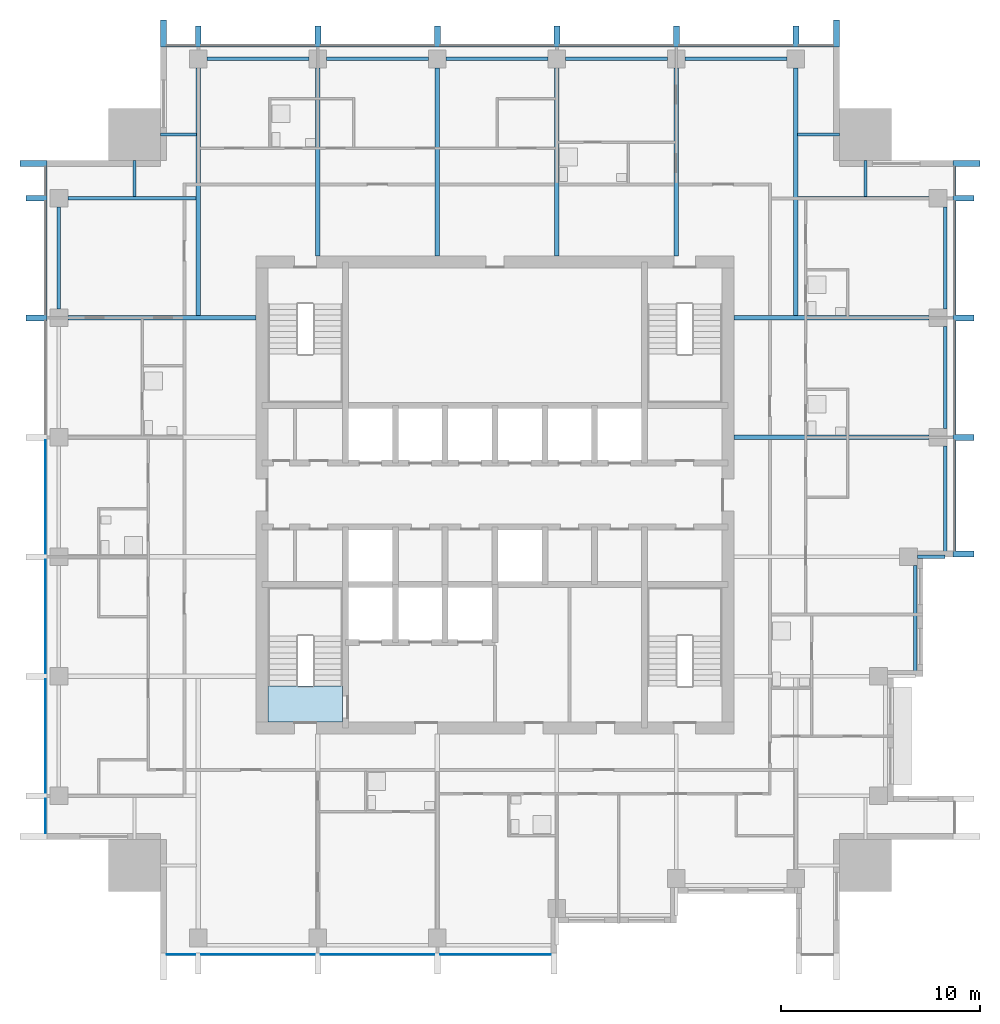
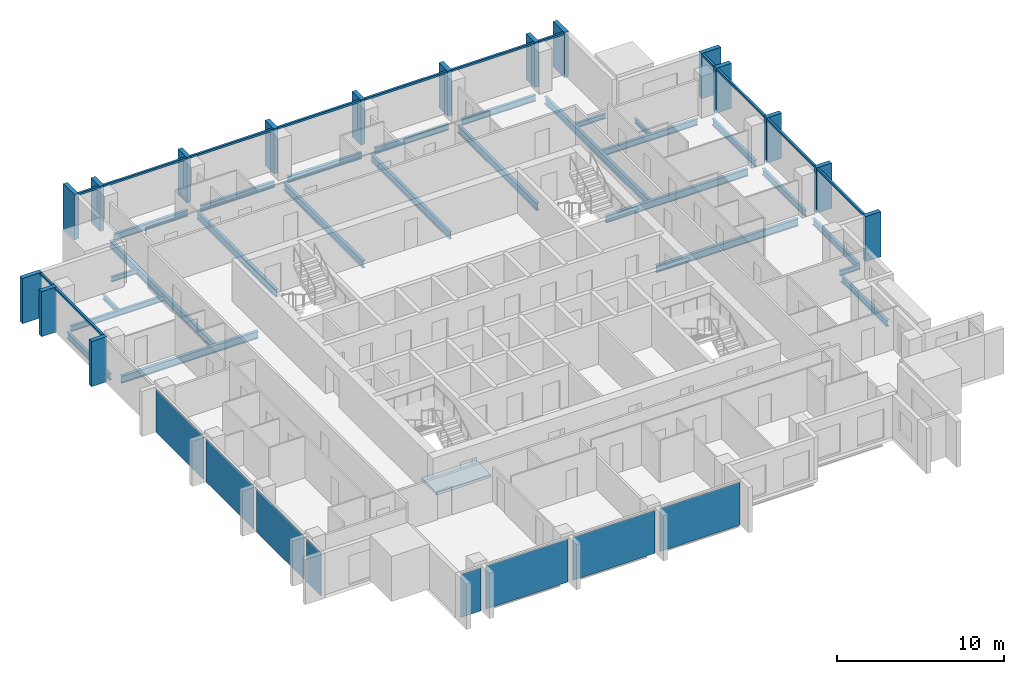
# One storey, part 2 of 10: 29 members, 26 beams, 8 plates, 1 slab, 5 elements without a shape of their own.
"""IFC4 building model written with IfcOpenShell, lengths in metres."""

from ifc_helpers import new_model, si_unit, direction, frame, origin, origin_2d, place, context, subcontext, project, spatial, polyline, rectangle, i_section, outline, extrude, material, layer, layer_set, material_profile, profile_set, type_object, element, aggregate, save


model = new_model("IFC4")

# Units and contexts
model_context = context("Model", 3, precision=1e-05, world=origin(), true_north=direction((0.0, 1.0)))
body_context = subcontext(model_context, "Body", "Model", "MODEL_VIEW")
ifc_project = project(units=[si_unit("LENGTHUNIT", "METRE"), si_unit("AREAUNIT", "SQUARE_METRE"), si_unit("VOLUMEUNIT", "CUBIC_METRE"), si_unit("PLANEANGLEUNIT", "RADIAN"), si_unit("MASSUNIT", "GRAM", prefix="KILO")], contexts=[model_context])

# Site, building, storey
site_placement = place(None, origin())
site = spatial("IfcSite", under=ifc_project, at=site_placement, CompositionType="ELEMENT")
building_placement = place(site_placement, origin())
building = spatial("IfcBuilding", under=site, at=building_placement, Name="Amberfall Residences", CompositionType="ELEMENT")
storey_placement = place(building_placement, frame((0.0, 0.0, 190.300048828125)))
storey = spatial("IfcBuildingStorey", under=building, at=storey_placement, Name="L50", CompositionType="ELEMENT", Elevation=190.300048828125)

# Curtain wall, members
ifc_material_1 = material(Name="Bronze anodised aluminium and glass", Category="aluminium")
curtain_wall_type = type_object("IfcCurtainWallType", Name="Curtain wall CW1 tower unit", PredefinedType="USERDEFINED", material=ifc_material_1)
curtain_wall_1_placement = place(storey_placement, origin())
curtain_wall_1 = element("IfcCurtainWall", 1, at=curtain_wall_1_placement, inside=storey, type_object=curtain_wall_type, Name="Curtain wall L50 E E7", ObjectType="UNITISED CURTAIN WALL", PredefinedType="USERDEFINED")
ifc_material_2 = material(Name="Bronze anodised aluminium", Category="aluminium")
ifc_material_profile_1 = material_profile(ifc_material_2, rectangle(XDim=0.14990234375, YDim=0.14990234375, at=origin_2d()), Name="CW1 transom 150 x 150 bronze")
ifc_profile_set_1 = profile_set([ifc_material_profile_1], Name="Bronze anodised aluminium")
member_type_1 = type_object("IfcMemberType", Name="CW1 transom 150 x 150 bronze", PredefinedType="USERDEFINED", material=ifc_profile_set_1)
member_1_placement = place(storey_placement, frame((97.574951171875, 42.699951171875, 2.974853515625), z_axis=(0.0, 1.0, 0.0), x_axis=(-1.0, 0.0, 0.0)))
member_1 = element("IfcMember", 2, at=member_1_placement, type_object=member_type_1, Name="CW1 transom 1.1", ObjectType="TRANSOM", PredefinedType="USERDEFINED", context=body_context, shape_type="SweptSolid", body=[
    extrude(rectangle(XDim=0.14990234375, YDim=0.14990234375, at=origin_2d()), origin(), (0.0, 0.0, 1.0), 5.550048828125),
])
member_2_placement = place(storey_placement, frame((97.574951171875, 48.550048828125, 2.974853515625), z_axis=(0.0, 1.0, 0.0), x_axis=(-1.0, 0.0, 0.0)))
member_2 = element("IfcMember", 3, at=member_2_placement, type_object=member_type_1, Name="CW1 transom 2.1", ObjectType="TRANSOM", PredefinedType="USERDEFINED", context=body_context, shape_type="SweptSolid", body=[
    extrude(rectangle(XDim=0.14990234375, YDim=0.14990234375, at=origin_2d()), origin(), (0.0, 0.0, 1.0), 5.699951171875),
])
member_3_placement = place(storey_placement, frame((97.574951171875, 54.550048828125, 2.974853515625), z_axis=(0.0, 1.0, 0.0), x_axis=(-1.0, 0.0, 0.0)))
member_3 = element("IfcMember", 4, at=member_3_placement, type_object=member_type_1, Name="CW1 transom 3.1", ObjectType="TRANSOM", PredefinedType="USERDEFINED", context=body_context, shape_type="SweptSolid", body=[
    extrude(rectangle(XDim=0.14990234375, YDim=0.14990234375, at=origin_2d()), origin(), (0.0, 0.0, 1.0), 5.699951171875),
])
member_4_placement = place(storey_placement, frame((97.574951171875, 60.550048828125, 2.974853515625), z_axis=(0.0, 1.0, 0.0), x_axis=(-1.0, 0.0, 0.0)))
member_4 = element("IfcMember", 5, at=member_4_placement, type_object=member_type_1, Name="CW1 transom 4.1", ObjectType="TRANSOM", PredefinedType="USERDEFINED", context=body_context, shape_type="SweptSolid", body=[
    extrude(rectangle(XDim=0.14990234375, YDim=0.14990234375, at=origin_2d()), origin(), (0.0, 0.0, 1.0), 1.449951171875),
])

curtain_wall_2_placement = place(storey_placement, origin())
curtain_wall_2 = element("IfcCurtainWall", 6, at=curtain_wall_2_placement, inside=storey, type_object=curtain_wall_type, Name="Curtain wall L50 N N1", ObjectType="UNITISED CURTAIN WALL", PredefinedType="USERDEFINED")
member_5_placement = place(storey_placement, frame((91.5, 68.074951171875, 2.974853515625), z_axis=(-1.0, 0.0, 0.0), x_axis=(0.0, -1.0, 0.0)))
member_5 = element("IfcMember", 7, at=member_5_placement, type_object=member_type_1, Name="CW1 transom 1.1", ObjectType="TRANSOM", PredefinedType="USERDEFINED", context=body_context, shape_type="SweptSolid", body=[
    extrude(rectangle(XDim=0.14990234375, YDim=0.14990234375, at=origin_2d()), origin(), (0.0, 0.0, 1.0), 1.75),
])
member_6_placement = place(storey_placement, frame((89.449951171875, 68.074951171875, 2.974853515625), z_axis=(-1.0, 0.0, 0.0), x_axis=(0.0, -1.0, 0.0)))
member_6 = element("IfcMember", 8, at=member_6_placement, type_object=member_type_1, Name="CW1 transom 2.1", ObjectType="TRANSOM", PredefinedType="USERDEFINED", context=body_context, shape_type="SweptSolid", body=[
    extrude(rectangle(XDim=0.14990234375, YDim=0.14990234375, at=origin_2d()), origin(), (0.0, 0.0, 1.0), 5.699951171875),
])
member_7_placement = place(storey_placement, frame((83.449951171875, 68.074951171875, 2.974853515625), z_axis=(-1.0, 0.0, 0.0), x_axis=(0.0, -1.0, 0.0)))
member_7 = element("IfcMember", 9, at=member_7_placement, type_object=member_type_1, Name="CW1 transom 3.1", ObjectType="TRANSOM", PredefinedType="USERDEFINED", context=body_context, shape_type="SweptSolid", body=[
    extrude(rectangle(XDim=0.14990234375, YDim=0.14990234375, at=origin_2d()), origin(), (0.0, 0.0, 1.0), 5.699951171875),
])
member_8_placement = place(storey_placement, frame((77.449951171875, 68.074951171875, 2.974853515625), z_axis=(-1.0, 0.0, 0.0), x_axis=(0.0, -1.0, 0.0)))
member_8 = element("IfcMember", 10, at=member_8_placement, type_object=member_type_1, Name="CW1 transom 4.1", ObjectType="TRANSOM", PredefinedType="USERDEFINED", context=body_context, shape_type="SweptSolid", body=[
    extrude(rectangle(XDim=0.14990234375, YDim=0.14990234375, at=origin_2d()), origin(), (0.0, 0.0, 1.0), 5.699951171875),
])
member_9_placement = place(storey_placement, frame((71.449951171875, 68.074951171875, 2.974853515625), z_axis=(-1.0, 0.0, 0.0), x_axis=(0.0, -1.0, 0.0)))
member_9 = element("IfcMember", 11, at=member_9_placement, type_object=member_type_1, Name="CW1 transom 5.1", ObjectType="TRANSOM", PredefinedType="USERDEFINED", context=body_context, shape_type="SweptSolid", body=[
    extrude(rectangle(XDim=0.14990234375, YDim=0.14990234375, at=origin_2d()), origin(), (0.0, 0.0, 1.0), 5.699951171875),
])
member_10_placement = place(storey_placement, frame((65.449951171875, 68.074951171875, 2.974853515625), z_axis=(-1.0, 0.0, 0.0), x_axis=(0.0, -1.0, 0.0)))
member_10 = element("IfcMember", 12, at=member_10_placement, type_object=member_type_1, Name="CW1 transom 6.1", ObjectType="TRANSOM", PredefinedType="USERDEFINED", context=body_context, shape_type="SweptSolid", body=[
    extrude(rectangle(XDim=0.14990234375, YDim=0.14990234375, at=origin_2d()), origin(), (0.0, 0.0, 1.0), 5.699951171875),
])
member_11_placement = place(storey_placement, frame((59.449951171875, 68.074951171875, 2.974853515625), z_axis=(-1.0, 0.0, 0.0), x_axis=(0.0, -1.0, 0.0)))
member_11 = element("IfcMember", 13, at=member_11_placement, type_object=member_type_1, Name="CW1 transom 7.1", ObjectType="TRANSOM", PredefinedType="USERDEFINED", context=body_context, shape_type="SweptSolid", body=[
    extrude(rectangle(XDim=0.14990234375, YDim=0.14990234375, at=origin_2d()), origin(), (0.0, 0.0, 1.0), 1.449951171875),
])

curtain_wall_3_placement = place(storey_placement, origin())
curtain_wall_3 = element("IfcCurtainWall", 14, at=curtain_wall_3_placement, inside=storey, type_object=curtain_wall_type, Name="Curtain wall L50 W W1", ObjectType="UNITISED CURTAIN WALL", PredefinedType="USERDEFINED")
member_12_placement = place(storey_placement, frame((51.925048828125, 62.0, 2.974853515625), z_axis=(0.0, -1.0, 0.0), x_axis=(1.0, 0.0, 0.0)))
member_12 = element("IfcMember", 15, at=member_12_placement, type_object=member_type_1, Name="CW1 transom 1.1", ObjectType="TRANSOM", PredefinedType="USERDEFINED", context=body_context, shape_type="SweptSolid", body=[
    extrude(rectangle(XDim=0.14990234375, YDim=0.14990234375, at=origin_2d()), origin(), (0.0, 0.0, 1.0), 1.449951171875),
])
member_13_placement = place(storey_placement, frame((51.925048828125, 60.25, 2.974853515625), z_axis=(0.0, -1.0, 0.0), x_axis=(1.0, 0.0, 0.0)))
member_13 = element("IfcMember", 16, at=member_13_placement, type_object=member_type_1, Name="CW1 transom 2.1", ObjectType="TRANSOM", PredefinedType="USERDEFINED", context=body_context, shape_type="SweptSolid", body=[
    extrude(rectangle(XDim=0.14990234375, YDim=0.14990234375, at=origin_2d()), origin(), (0.0, 0.0, 1.0), 5.699951171875),
])

# Beam
ifc_material_3 = material(Name="Steel S355", Category="steel")
ifc_material_profile_2 = material_profile(ifc_material_3, i_section(OverallWidth=0.171142578125, OverallDepth=0.351318359375, WebThickness=0.007080078125, FlangeThickness=0.009765625, FilletRadius=0.01025390625, at=origin_2d()), Name="UB 356x171x45")
ifc_profile_set_2 = profile_set([ifc_material_profile_2], Name="Steel S355")
beam_type_1 = type_object("IfcBeamType", Name="Cantilever girder UB 356x171x45", PredefinedType="BEAM", material=ifc_profile_set_2)
beam_1_placement = place(storey_placement, frame((95.699951171875, 42.39990234375, -0.42578125), z_axis=(1.0, 0.0, 0.0), x_axis=(0.0, 1.0, 0.0)))
element("IfcBeam", 17, at=beam_1_placement, inside=storey, type_object=beam_type_1, Name="Cantilever girder B8 L50 20", PredefinedType="BEAM", context=body_context, shape_type="SweptSolid", body=[
    extrude(i_section(OverallWidth=0.171142578125, OverallDepth=0.351318359375, WebThickness=0.007080078125, FlangeThickness=0.009765625, FilletRadius=0.01025390625, at=origin_2d()), origin(), (0.0, 0.0, 1.0), 1.400146484375),
])

# Member
ifc_material_profile_3 = material_profile(ifc_material_2, rectangle(XDim=1.35009765625, YDim=0.300048828125, at=origin_2d()), Name="Corner fin 300 x 1350 bronze")
ifc_profile_set_3 = profile_set([ifc_material_profile_3], Name="Bronze anodised aluminium")
member_type_2 = type_object("IfcMemberType", Name="Corner fin 300 x 1350 bronze", PredefinedType="MULLION", material=ifc_profile_set_3)
member_14_placement = place(storey_placement, frame((98.175048828125, 62.14990234375, -0.25), z_axis=(0.0, 0.0, 1.0), x_axis=(-1.0, 0.0, 0.0)))
member_14 = element("IfcMember", 18, at=member_14_placement, type_object=member_type_2, Name="CW FIN 5", PredefinedType="MULLION", context=body_context, shape_type="SweptSolid", body=[
    extrude(rectangle(XDim=1.35009765625, YDim=0.300048828125, at=origin_2d()), origin(), (0.0, 0.0, 1.0), 3.300048828125),
])

member_15_placement = place(storey_placement, frame((91.64990234375, 68.675048828125, -0.25), z_axis=(0.0, 0.0, 1.0), x_axis=(0.0, -1.0, 0.0)))
member_15 = element("IfcMember", 19, at=member_15_placement, type_object=member_type_2, Name="CW FIN 1", PredefinedType="MULLION", context=body_context, shape_type="SweptSolid", body=[
    extrude(rectangle(XDim=1.35009765625, YDim=0.300048828125, at=origin_2d()), origin(), (0.0, 0.0, 1.0), 3.300048828125),
])

member_16_placement = place(storey_placement, frame((57.85009765625, 68.675048828125, -0.25), z_axis=(0.0, 0.0, 1.0), x_axis=(0.0, -1.0, 0.0)))
member_16 = element("IfcMember", 20, at=member_16_placement, type_object=member_type_2, Name="CW FIN 8", PredefinedType="MULLION", context=body_context, shape_type="SweptSolid", body=[
    extrude(rectangle(XDim=1.35009765625, YDim=0.300048828125, at=origin_2d()), origin(), (0.0, 0.0, 1.0), 3.300048828125),
])

member_17_placement = place(storey_placement, frame((51.324951171875, 62.14990234375, -0.25), z_axis=(0.0, 0.0, 1.0), x_axis=(1.0, 0.0, 0.0)))
member_17 = element("IfcMember", 21, at=member_17_placement, type_object=member_type_2, Name="CW FIN 1", PredefinedType="MULLION", context=body_context, shape_type="SweptSolid", body=[
    extrude(rectangle(XDim=1.35009765625, YDim=0.300048828125, at=origin_2d()), origin(), (0.0, 0.0, 1.0), 3.300048828125),
])

# Beams
ifc_material_profile_4 = material_profile(ifc_material_3, i_section(OverallWidth=0.18994140625, OverallDepth=0.453369140625, WebThickness=0.008544921875, FlangeThickness=0.0126953125, FilletRadius=0.01025390625, at=origin_2d()), Name="UB 457x191x67")
ifc_profile_set_4 = profile_set([ifc_material_profile_4], Name="Steel S355")
beam_type_2 = type_object("IfcBeamType", Name="Edge beam UB 457x191x67", PredefinedType="SPANDREL", material=ifc_profile_set_4)
for number, where, z_axis, x_axis, name in (
    (22, (95.60009765625, 36.47998046875, -0.476806640625), (0.0, 1.0, 0.0), (-1.0, 0.0, 0.0), "Edge beam B1 L50 15"),
    (23, (97.10009765625, 42.47998046875, -0.476806640625), (0.0, 1.0, 0.0), (-1.0, 0.0, 0.0), "Edge beam B1 L50 16"),
):
    element("IfcBeam", number, at=place(storey_placement, frame(where, z_axis=z_axis, x_axis=x_axis)), inside=storey, type_object=beam_type_2, Name=name, PredefinedType="SPANDREL", context=body_context, shape_type="SweptSolid", body=[
        extrude(i_section(OverallWidth=0.18994140625, OverallDepth=0.453369140625, WebThickness=0.008544921875, FlangeThickness=0.0126953125, FilletRadius=0.01025390625, at=origin_2d()), origin(), (0.0, 0.0, 1.0), 5.469970703125),
    ])
for number, where, z_axis, x_axis, name in (
    (24, (97.10009765625, 48.85009765625, -0.476806640625), (0.0, 1.0, 0.0), (-1.0, 0.0, 0.0), "Edge beam B1 L50 17"),
    (25, (97.10009765625, 54.85009765625, -0.476806640625), (0.0, 1.0, 0.0), (-1.0, 0.0, 0.0), "Edge beam B1 L50 18"),
    (26, (60.050048828125, 67.39990234375, -0.476806640625), (1.0, 0.0, 0.0), (0.0, 1.0, 0.0), "Edge beam B1 L50 27"),
    (27, (66.050048828125, 67.39990234375, -0.476806640625), (1.0, 0.0, 0.0), (0.0, 1.0, 0.0), "Edge beam B1 L50 28"),
    (28, (72.050048828125, 67.39990234375, -0.476806640625), (1.0, 0.0, 0.0), (0.0, 1.0, 0.0), "Edge beam B1 L50 29"),
    (29, (78.050048828125, 67.39990234375, -0.476806640625), (1.0, 0.0, 0.0), (0.0, 1.0, 0.0), "Edge beam B1 L50 30"),
    (30, (84.050048828125, 67.39990234375, -0.476806640625), (1.0, 0.0, 0.0), (0.0, 1.0, 0.0), "Edge beam B1 L50 31"),
    (31, (52.60009765625, 54.85009765625, -0.476806640625), (0.0, 1.0, 0.0), (-1.0, 0.0, 0.0), "Edge beam B1 L50 42"),
):
    element("IfcBeam", number, at=place(storey_placement, frame(where, z_axis=z_axis, x_axis=x_axis)), inside=storey, type_object=beam_type_2, Name=name, PredefinedType="SPANDREL", context=body_context, shape_type="SweptSolid", body=[
        extrude(i_section(OverallWidth=0.18994140625, OverallDepth=0.453369140625, WebThickness=0.008544921875, FlangeThickness=0.0126953125, FilletRadius=0.01025390625, at=origin_2d()), origin(), (0.0, 0.0, 1.0), 5.099853515625),
    ])

# Member
ifc_material_profile_5 = material_profile(ifc_material_2, rectangle(XDim=1.050048828125, YDim=0.300048828125, at=origin_2d()), Name="Fin 300 x 1050 bronze")
ifc_profile_set_5 = profile_set([ifc_material_profile_5], Name="Bronze anodised aluminium")
member_type_3 = type_object("IfcMemberType", Name="Fin 300 x 1050 bronze", PredefinedType="MULLION", material=ifc_profile_set_5)
member_18_placement = place(storey_placement, frame((98.02490234375, 42.550048828125, -0.25), z_axis=(0.0, 0.0, 1.0), x_axis=(-1.0, 0.0, 0.0)))
member_18 = element("IfcMember", 32, at=member_18_placement, type_object=member_type_3, Name="CW FIN 1", PredefinedType="MULLION", context=body_context, shape_type="SweptSolid", body=[
    extrude(rectangle(XDim=1.050048828125, YDim=0.300048828125, at=origin_2d()), origin(), (0.0, 0.0, 1.0), 3.300048828125),
])

member_19_placement = place(storey_placement, frame((98.02490234375, 48.39990234375, -0.25), z_axis=(0.0, 0.0, 1.0), x_axis=(-1.0, 0.0, 0.0)))
member_19 = element("IfcMember", 33, at=member_19_placement, type_object=member_type_3, Name="CW FIN 2", PredefinedType="MULLION", context=body_context, shape_type="SweptSolid", body=[
    extrude(rectangle(XDim=1.050048828125, YDim=0.300048828125, at=origin_2d()), origin(), (0.0, 0.0, 1.0), 3.300048828125),
])

member_20_placement = place(storey_placement, frame((98.02490234375, 54.39990234375, -0.25), z_axis=(0.0, 0.0, 1.0), x_axis=(-1.0, 0.0, 0.0)))
member_20 = element("IfcMember", 34, at=member_20_placement, type_object=member_type_3, Name="CW FIN 3", PredefinedType="MULLION", context=body_context, shape_type="SweptSolid", body=[
    extrude(rectangle(XDim=1.050048828125, YDim=0.300048828125, at=origin_2d()), origin(), (0.0, 0.0, 1.0), 3.300048828125),
])

member_21_placement = place(storey_placement, frame((98.02490234375, 60.39990234375, -0.25), z_axis=(0.0, 0.0, 1.0), x_axis=(-1.0, 0.0, 0.0)))
member_21 = element("IfcMember", 35, at=member_21_placement, type_object=member_type_3, Name="CW FIN 4", PredefinedType="MULLION", context=body_context, shape_type="SweptSolid", body=[
    extrude(rectangle(XDim=1.050048828125, YDim=0.300048828125, at=origin_2d()), origin(), (0.0, 0.0, 1.0), 3.300048828125),
])

aggregate(curtain_wall_1, [member_18, member_19, member_20, member_21, member_14, member_1, member_2, member_3, member_4])

member_22_placement = place(storey_placement, frame((89.60009765625, 68.52490234375, -0.25), z_axis=(0.0, 0.0, 1.0), x_axis=(0.0, -1.0, 0.0)))
member_22 = element("IfcMember", 36, at=member_22_placement, type_object=member_type_3, Name="CW FIN 2", PredefinedType="MULLION", context=body_context, shape_type="SweptSolid", body=[
    extrude(rectangle(XDim=1.050048828125, YDim=0.300048828125, at=origin_2d()), origin(), (0.0, 0.0, 1.0), 3.300048828125),
])

member_23_placement = place(storey_placement, frame((83.60009765625, 68.52490234375, -0.25), z_axis=(0.0, 0.0, 1.0), x_axis=(0.0, -1.0, 0.0)))
member_23 = element("IfcMember", 37, at=member_23_placement, type_object=member_type_3, Name="CW FIN 3", PredefinedType="MULLION", context=body_context, shape_type="SweptSolid", body=[
    extrude(rectangle(XDim=1.050048828125, YDim=0.300048828125, at=origin_2d()), origin(), (0.0, 0.0, 1.0), 3.300048828125),
])

member_24_placement = place(storey_placement, frame((77.60009765625, 68.52490234375, -0.25), z_axis=(0.0, 0.0, 1.0), x_axis=(0.0, -1.0, 0.0)))
member_24 = element("IfcMember", 38, at=member_24_placement, type_object=member_type_3, Name="CW FIN 4", PredefinedType="MULLION", context=body_context, shape_type="SweptSolid", body=[
    extrude(rectangle(XDim=1.050048828125, YDim=0.300048828125, at=origin_2d()), origin(), (0.0, 0.0, 1.0), 3.300048828125),
])

member_25_placement = place(storey_placement, frame((71.60009765625, 68.52490234375, -0.25), z_axis=(0.0, 0.0, 1.0), x_axis=(0.0, -1.0, 0.0)))
member_25 = element("IfcMember", 39, at=member_25_placement, type_object=member_type_3, Name="CW FIN 5", PredefinedType="MULLION", context=body_context, shape_type="SweptSolid", body=[
    extrude(rectangle(XDim=1.050048828125, YDim=0.300048828125, at=origin_2d()), origin(), (0.0, 0.0, 1.0), 3.300048828125),
])

member_26_placement = place(storey_placement, frame((65.60009765625, 68.52490234375, -0.25), z_axis=(0.0, 0.0, 1.0), x_axis=(0.0, -1.0, 0.0)))
member_26 = element("IfcMember", 40, at=member_26_placement, type_object=member_type_3, Name="CW FIN 6", PredefinedType="MULLION", context=body_context, shape_type="SweptSolid", body=[
    extrude(rectangle(XDim=1.050048828125, YDim=0.300048828125, at=origin_2d()), origin(), (0.0, 0.0, 1.0), 3.300048828125),
])

member_27_placement = place(storey_placement, frame((59.60009765625, 68.52490234375, -0.25), z_axis=(0.0, 0.0, 1.0), x_axis=(0.0, -1.0, 0.0)))
member_27 = element("IfcMember", 41, at=member_27_placement, type_object=member_type_3, Name="CW FIN 7", PredefinedType="MULLION", context=body_context, shape_type="SweptSolid", body=[
    extrude(rectangle(XDim=1.050048828125, YDim=0.300048828125, at=origin_2d()), origin(), (0.0, 0.0, 1.0), 3.300048828125),
])

aggregate(curtain_wall_2, [member_15, member_22, member_23, member_24, member_25, member_26, member_27, member_16, member_5, member_6, member_7, member_8, member_9, member_10, member_11])

member_28_placement = place(storey_placement, frame((51.47509765625, 60.39990234375, -0.25), z_axis=(0.0, 0.0, 1.0), x_axis=(1.0, 0.0, 0.0)))
member_28 = element("IfcMember", 42, at=member_28_placement, type_object=member_type_3, Name="CW FIN 2", PredefinedType="MULLION", context=body_context, shape_type="SweptSolid", body=[
    extrude(rectangle(XDim=1.050048828125, YDim=0.300048828125, at=origin_2d()), origin(), (0.0, 0.0, 1.0), 3.300048828125),
])

member_29_placement = place(storey_placement, frame((51.47509765625, 54.39990234375, -0.25), z_axis=(0.0, 0.0, 1.0), x_axis=(1.0, 0.0, 0.0)))
member_29 = element("IfcMember", 43, at=member_29_placement, type_object=member_type_3, Name="CW FIN 3", PredefinedType="MULLION", context=body_context, shape_type="SweptSolid", body=[
    extrude(rectangle(XDim=1.050048828125, YDim=0.300048828125, at=origin_2d()), origin(), (0.0, 0.0, 1.0), 3.300048828125),
])

# Beams
ifc_material_profile_6 = material_profile(ifc_material_3, i_section(OverallWidth=0.177734375, OverallDepth=0.402587890625, WebThickness=0.0078125, FlangeThickness=0.010986328125, FilletRadius=0.01025390625, at=origin_2d()), Name="UB 406x178x54")
ifc_profile_set_6 = profile_set([ifc_material_profile_6], Name="Steel S355")
beam_type_3 = type_object("IfcBeamType", Name="Floor girder UB 406x178x54", PredefinedType="BEAM", material=ifc_profile_set_6)
beam_2_placement = place(storey_placement, frame((53.050048828125, 60.39990234375, -0.451416015625), z_axis=(1.0, 0.0, 0.0), x_axis=(0.0, 1.0, 0.0)))
element("IfcBeam", 44, at=beam_2_placement, inside=storey, type_object=beam_type_3, Name="Floor girder B4 L50 48", PredefinedType="BEAM", context=body_context, shape_type="SweptSolid", body=[
    extrude(i_section(OverallWidth=0.177734375, OverallDepth=0.402587890625, WebThickness=0.0078125, FlangeThickness=0.010986328125, FilletRadius=0.01025390625, at=origin_2d()), origin(), (0.0, 0.0, 1.0), 6.429931640625),
])
ifc_material_profile_7 = material_profile(ifc_material_3, i_section(OverallWidth=0.19140625, OverallDepth=0.4599609375, WebThickness=0.010009765625, FlangeThickness=0.01611328125, FilletRadius=0.01025390625, at=origin_2d()), Name="UB 457x191x82")
ifc_profile_set_7 = profile_set([ifc_material_profile_7], Name="Steel S355")
beam_type_4 = type_object("IfcBeamType", Name="Floor girder UB 457x191x82", PredefinedType="BEAM", material=ifc_profile_set_7)
beam_3_placement = place(storey_placement, frame((96.300048828125, 60.39990234375, -0.47998046875), z_axis=(-1.0, 0.0, 0.0), x_axis=(0.0, -1.0, 0.0)))
element("IfcBeam", 45, at=beam_3_placement, inside=storey, type_object=beam_type_4, Name="Floor girder B10 L50 26", PredefinedType="BEAM", context=body_context, shape_type="SweptSolid", body=[
    extrude(i_section(OverallWidth=0.19140625, OverallDepth=0.4599609375, WebThickness=0.010009765625, FlangeThickness=0.01611328125, FilletRadius=0.01025390625, at=origin_2d()), origin(), (0.0, 0.0, 1.0), 6.580078125),
])
ifc_material_profile_8 = material_profile(ifc_material_3, i_section(OverallWidth=0.210693359375, OverallDepth=0.53955078125, WebThickness=0.01171875, FlangeThickness=0.018798828125, FilletRadius=0.0126953125, at=origin_2d()), Name="UB 533x210x109")
ifc_profile_set_8 = profile_set([ifc_material_profile_8], Name="Steel S355")
beam_type_5 = type_object("IfcBeamType", Name="Floor girder UB 533x210x109", PredefinedType="BEAM", material=ifc_profile_set_8)
for number, where, z_axis, x_axis, name in (
    (46, (59.60009765625, 66.949951171875, -0.519775390625), (0.0, -1.0, 0.0), (1.0, 0.0, 0.0), "Floor girder B2 L50 32"),
    (47, (89.60009765625, 66.949951171875, -0.519775390625), (0.0, -1.0, 0.0), (1.0, 0.0, 0.0), "Floor girder B2 L50 37"),
):
    element("IfcBeam", number, at=place(storey_placement, frame(where, z_axis=z_axis, x_axis=x_axis)), inside=storey, type_object=beam_type_5, Name=name, PredefinedType="BEAM", context=body_context, shape_type="SweptSolid", body=[
        extrude(i_section(OverallWidth=0.210693359375, OverallDepth=0.53955078125, WebThickness=0.01171875, FlangeThickness=0.018798828125, FilletRadius=0.0126953125, at=origin_2d()), origin(), (0.0, 0.0, 1.0), 12.450439453125),
    ])
ifc_material_profile_9 = material_profile(ifc_material_3, i_section(OverallWidth=0.209228515625, OverallDepth=0.533203125, WebThickness=0.010009765625, FlangeThickness=0.015625, FilletRadius=0.0126953125, at=origin_2d()), Name="UB 533x210x92")
ifc_profile_set_9 = profile_set([ifc_material_profile_9], Name="Steel S355")
beam_type_6 = type_object("IfcBeamType", Name="Floor girder UB 533x210x92", PredefinedType="BEAM", material=ifc_profile_set_9)
for number, where, z_axis, x_axis, name in (
    (48, (96.300048828125, 48.39990234375, -0.5166015625), (-1.0, 0.0, 0.0), (0.0, -1.0, 0.0), "Floor girder B3 L50 24"),
    (49, (96.300048828125, 54.39990234375, -0.5166015625), (-1.0, 0.0, 0.0), (0.0, -1.0, 0.0), "Floor girder B3 L50 25"),
):
    element("IfcBeam", number, at=place(storey_placement, frame(where, z_axis=z_axis, x_axis=x_axis)), inside=storey, type_object=beam_type_6, Name=name, PredefinedType="BEAM", context=body_context, shape_type="SweptSolid", body=[
        extrude(i_section(OverallWidth=0.209228515625, OverallDepth=0.533203125, WebThickness=0.010009765625, FlangeThickness=0.015625, FilletRadius=0.0126953125, at=origin_2d()), origin(), (0.0, 0.0, 1.0), 9.800048828125),
    ])
for number, where, z_axis, x_axis, name in (
    (50, (65.60009765625, 66.949951171875, -0.5166015625), (0.0, -1.0, 0.0), (1.0, 0.0, 0.0), "Floor girder B3 L50 33"),
    (51, (71.60009765625, 66.949951171875, -0.5166015625), (0.0, -1.0, 0.0), (1.0, 0.0, 0.0), "Floor girder B3 L50 34"),
    (52, (77.60009765625, 66.949951171875, -0.5166015625), (0.0, -1.0, 0.0), (1.0, 0.0, 0.0), "Floor girder B3 L50 35"),
    (53, (83.60009765625, 66.949951171875, -0.5166015625), (0.0, -1.0, 0.0), (1.0, 0.0, 0.0), "Floor girder B3 L50 36"),
    (54, (53.050048828125, 54.39990234375, -0.5166015625), (1.0, 0.0, 0.0), (0.0, 1.0, 0.0), "Floor girder B3 L50 47"),
):
    element("IfcBeam", number, at=place(storey_placement, frame(where, z_axis=z_axis, x_axis=x_axis)), inside=storey, type_object=beam_type_6, Name=name, PredefinedType="BEAM", context=body_context, shape_type="SweptSolid", body=[
        extrude(i_section(OverallWidth=0.209228515625, OverallDepth=0.533203125, WebThickness=0.010009765625, FlangeThickness=0.015625, FilletRadius=0.0126953125, at=origin_2d()), origin(), (0.0, 0.0, 1.0), 9.449951171875),
    ])
ifc_material_profile_10 = material_profile(ifc_material_3, i_section(OverallWidth=0.171142578125, OverallDepth=0.351318359375, WebThickness=0.007080078125, FlangeThickness=0.009765625, FilletRadius=0.01025390625, at=origin_2d()), Name="UB 356x171x45")
ifc_profile_set_10 = profile_set([ifc_material_profile_10], Name="Steel S355")
beam_type_7 = type_object("IfcBeamType", Name="Link beam UB 356x171x45", PredefinedType="BEAM", material=ifc_profile_set_10)
beam_4_placement = place(storey_placement, frame((91.800048828125, 63.60009765625, -0.42578125), z_axis=(-1.0, 0.0, 0.0), x_axis=(0.0, -1.0, 0.0)))
element("IfcBeam", 55, at=beam_4_placement, inside=storey, type_object=beam_type_7, Name="Link beam B7 L50 53", PredefinedType="BEAM", context=body_context, shape_type="SweptSolid", body=[
    extrude(i_section(OverallWidth=0.171142578125, OverallDepth=0.351318359375, WebThickness=0.007080078125, FlangeThickness=0.009765625, FilletRadius=0.01025390625, at=origin_2d()), origin(), (0.0, 0.0, 1.0), 2.104736328125),
])
beam_5_placement = place(storey_placement, frame((93.10009765625, 62.300048828125, -0.42578125), z_axis=(0.0, -1.0, 0.0), x_axis=(1.0, 0.0, 0.0)))
element("IfcBeam", 56, at=beam_5_placement, inside=storey, type_object=beam_type_7, Name="Link beam B7 L50 54", PredefinedType="BEAM", context=body_context, shape_type="SweptSolid", body=[
    extrude(i_section(OverallWidth=0.171142578125, OverallDepth=0.351318359375, WebThickness=0.007080078125, FlangeThickness=0.009765625, FilletRadius=0.01025390625, at=origin_2d()), origin(), (0.0, 0.0, 1.0), 1.814453125),
])
beam_6_placement = place(storey_placement, frame((57.699951171875, 63.60009765625, -0.42578125), z_axis=(1.0, 0.0, 0.0), x_axis=(0.0, 1.0, 0.0)))
element("IfcBeam", 57, at=beam_6_placement, inside=storey, type_object=beam_type_7, Name="Link beam B7 L50 55", PredefinedType="BEAM", context=body_context, shape_type="SweptSolid", body=[
    extrude(i_section(OverallWidth=0.171142578125, OverallDepth=0.351318359375, WebThickness=0.007080078125, FlangeThickness=0.009765625, FilletRadius=0.01025390625, at=origin_2d()), origin(), (0.0, 0.0, 1.0), 1.8046875),
])
beam_7_placement = place(storey_placement, frame((56.39990234375, 62.300048828125, -0.42578125), z_axis=(0.0, -1.0, 0.0), x_axis=(1.0, 0.0, 0.0)))
element("IfcBeam", 58, at=beam_7_placement, inside=storey, type_object=beam_type_7, Name="Link beam B7 L50 56", PredefinedType="BEAM", context=body_context, shape_type="SweptSolid", body=[
    extrude(i_section(OverallWidth=0.171142578125, OverallDepth=0.351318359375, WebThickness=0.007080078125, FlangeThickness=0.009765625, FilletRadius=0.01025390625, at=origin_2d()), origin(), (0.0, 0.0, 1.0), 1.821044921875),
])

# Curtain wall, plates
curtain_wall_4_placement = place(storey_placement, origin())
curtain_wall_4 = element("IfcCurtainWall", 59, at=curtain_wall_4_placement, inside=storey, type_object=curtain_wall_type, Name="Curtain wall L50 S S1", ObjectType="UNITISED CURTAIN WALL", PredefinedType="USERDEFINED")
ifc_material_4 = material(Name="Tinted double glazed unit", Category="glass")
ifc_layer_1 = layer(ifc_material_4, 0.035888671875)
ifc_layer_set_1 = layer_set([ifc_layer_1], Name="CW1 panel 36 glazing")
plate_type = type_object("IfcPlateType", Name="CW1 panel 36 glazing", PredefinedType="CURTAIN_PANEL", material=ifc_layer_set_1)
plate_1_placement = place(storey_placement, frame((58.72509765625, 22.425048828125, -0.25), z_axis=(0.0, 0.0, 1.0), x_axis=(1.0, 0.0, 0.0)))
plate_1 = element("IfcPlate", 60, at=plate_1_placement, type_object=plate_type, Name="CW1 panel 1.1", PredefinedType="CURTAIN_PANEL", context=body_context, shape_type="SweptSolid", body=[
    extrude(rectangle(XDim=1.426025390625, YDim=0.035888671875, at=origin_2d()), origin(), (0.0, 0.0, 1.0), 3.14990234375),
])
plate_2_placement = place(storey_placement, frame((62.60009765625, 22.425048828125, -0.25), z_axis=(0.0, 0.0, 1.0), x_axis=(1.0, 0.0, 0.0)))
plate_2 = element("IfcPlate", 61, at=plate_2_placement, type_object=plate_type, Name="CW1 panel 2.1", PredefinedType="CURTAIN_PANEL", context=body_context, shape_type="SweptSolid", body=[
    extrude(rectangle(XDim=5.676025390625, YDim=0.035888671875, at=origin_2d()), origin(), (0.0, 0.0, 1.0), 3.14990234375),
])
plate_3_placement = place(storey_placement, frame((68.60009765625, 22.425048828125, -0.25), z_axis=(0.0, 0.0, 1.0), x_axis=(1.0, 0.0, 0.0)))
plate_3 = element("IfcPlate", 62, at=plate_3_placement, type_object=plate_type, Name="CW1 panel 3.1", PredefinedType="CURTAIN_PANEL", context=body_context, shape_type="SweptSolid", body=[
    extrude(rectangle(XDim=5.676025390625, YDim=0.035888671875, at=origin_2d()), origin(), (0.0, 0.0, 1.0), 3.14990234375),
])
plate_4_placement = place(storey_placement, frame((74.52490234375, 22.425048828125, -0.25), z_axis=(0.0, 0.0, 1.0), x_axis=(1.0, 0.0, 0.0)))
plate_4 = element("IfcPlate", 63, at=plate_4_placement, type_object=plate_type, Name="CW1 panel 4.1", PredefinedType="CURTAIN_PANEL", context=body_context, shape_type="SweptSolid", body=[
    extrude(rectangle(XDim=5.52587890625, YDim=0.035888671875, at=origin_2d()), origin(), (0.0, 0.0, 1.0), 3.14990234375),
])
aggregate(curtain_wall_4, [plate_1, plate_2, plate_3, plate_4])

# Plate
plate_5_placement = place(storey_placement, frame((51.925048828125, 45.39990234375, -0.25), z_axis=(0.0, 0.0, 1.0), x_axis=(0.0, -1.0, 0.0)))
plate_5 = element("IfcPlate", 64, at=plate_5_placement, type_object=plate_type, Name="CW1 panel 4.1", PredefinedType="CURTAIN_PANEL", context=body_context, shape_type="SweptSolid", body=[
    extrude(rectangle(XDim=5.676025390625, YDim=0.035888671875, at=origin_2d()), origin(), (0.0, 0.0, 1.0), 3.14990234375),
])

plate_6_placement = place(storey_placement, frame((51.925048828125, 39.39990234375, -0.25), z_axis=(0.0, 0.0, 1.0), x_axis=(0.0, -1.0, 0.0)))
plate_6 = element("IfcPlate", 65, at=plate_6_placement, type_object=plate_type, Name="CW1 panel 5.1", PredefinedType="CURTAIN_PANEL", context=body_context, shape_type="SweptSolid", body=[
    extrude(rectangle(XDim=5.676025390625, YDim=0.035888671875, at=origin_2d()), origin(), (0.0, 0.0, 1.0), 3.14990234375),
])

plate_7_placement = place(storey_placement, frame((51.925048828125, 33.39990234375, -0.25), z_axis=(0.0, 0.0, 1.0), x_axis=(0.0, -1.0, 0.0)))
plate_7 = element("IfcPlate", 66, at=plate_7_placement, type_object=plate_type, Name="CW1 panel 6.1", PredefinedType="CURTAIN_PANEL", context=body_context, shape_type="SweptSolid", body=[
    extrude(rectangle(XDim=5.676025390625, YDim=0.035888671875, at=origin_2d()), origin(), (0.0, 0.0, 1.0), 3.14990234375),
])

plate_8_placement = place(storey_placement, frame((51.925048828125, 29.375, -0.25), z_axis=(0.0, 0.0, 1.0), x_axis=(0.0, -1.0, 0.0)))
plate_8 = element("IfcPlate", 67, at=plate_8_placement, type_object=plate_type, Name="CW1 panel 7.1", PredefinedType="CURTAIN_PANEL", context=body_context, shape_type="SweptSolid", body=[
    extrude(rectangle(XDim=1.72607421875, YDim=0.035888671875, at=origin_2d()), origin(), (0.0, 0.0, 1.0), 3.14990234375),
])

aggregate(curtain_wall_3, [member_17, member_28, member_29, member_12, member_13, plate_5, plate_6, plate_7, plate_8])

# Stair, slab
ifc_material_5 = material(Name="Concrete C40", Category="concrete")
stair_type = type_object("IfcStairType", Name="Exit stair 20 risers 165.0 mm", PredefinedType="HALF_TURN_STAIR", material=ifc_material_5)
stair_placement = place(storey_placement, origin())
stair = element("IfcStair", 68, at=stair_placement, inside=storey, type_object=stair_type, Name="L50 Exit stair 1", PredefinedType="HALF_TURN_STAIR")
ifc_layer_2 = layer(ifc_material_5, 0.199951171875)
ifc_layer_set_2 = layer_set([ifc_layer_2], Name="Stair landing 200")
slab_type = type_object("IfcSlabType", Name="Stair landing 200", PredefinedType="LANDING", material=ifc_layer_set_2)
slab_placement = place(storey_placement, frame((0.0, 0.0, -0.199951171875)))
slab = element("IfcSlab", 69, at=slab_placement, type_object=slab_type, Name="ST3 landing 2", PredefinedType="LANDING", context=body_context, shape_type="SweptSolid", body=[
    extrude(outline(polyline([(66.85009765625, 34.10009765625), (66.85009765625, 35.89990234375), (63.10009765625, 35.89990234375), (63.10009765625, 34.10009765625), (66.85009765625, 34.10009765625)])), origin(), (0.0, 0.0, 1.0), 0.199951171875),
])
aggregate(stair, [slab])

save(model, "model.ifc")
